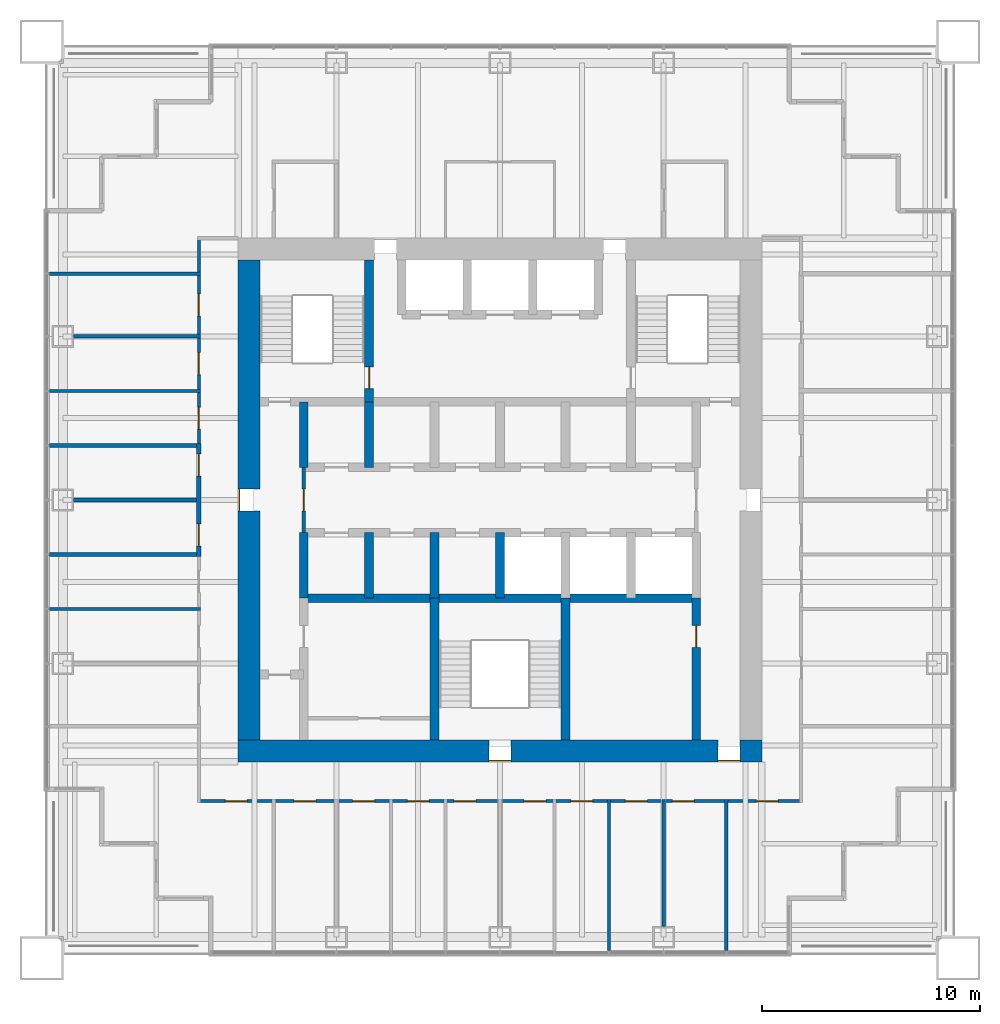
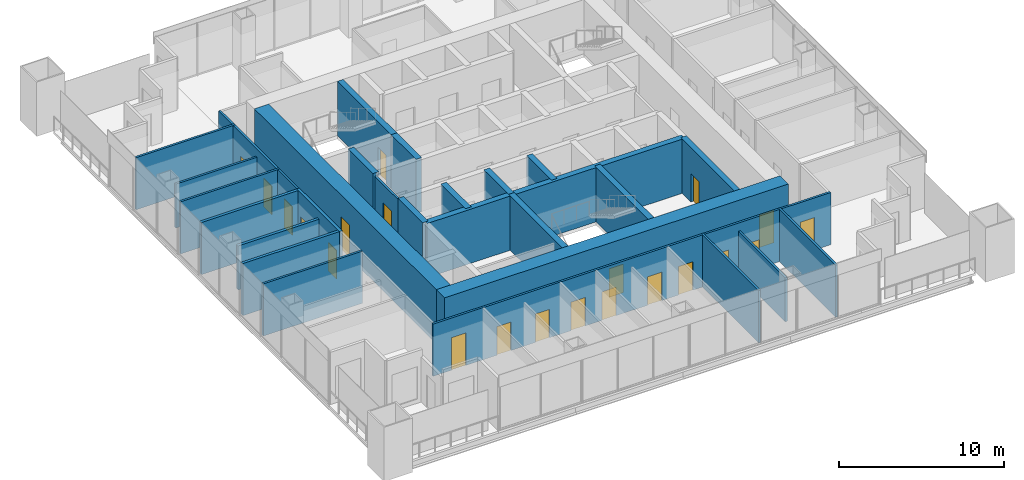
# One storey, part 10 of 15: 27 walls, 21 doors, 21 openings.
"""IFC4 building model written with IfcOpenShell, lengths in metres."""

from ifc_helpers import new_model, si_unit, direction, frame, frame_2d, origin, place, context, subcontext, project, spatial, rectangle, extrude, material, layer, layer_set, type_object, element, fill, save


model = new_model("IFC4")

# Units and contexts
model_context = context("Model", 3, precision=1e-05, world=origin(), true_north=direction((0.0, 1.0)))
body_context = subcontext(model_context, "Body", "Model", "MODEL_VIEW")
ifc_project = project(units=[si_unit("LENGTHUNIT", "METRE"), si_unit("AREAUNIT", "SQUARE_METRE"), si_unit("VOLUMEUNIT", "CUBIC_METRE"), si_unit("PLANEANGLEUNIT", "RADIAN"), si_unit("MASSUNIT", "GRAM", prefix="KILO")], contexts=[model_context])

# Site, building, storey
site_placement = place(None, origin())
site = spatial("IfcSite", under=ifc_project, at=site_placement, CompositionType="ELEMENT")
building_placement = place(site_placement, origin())
building = spatial("IfcBuilding", under=site, at=building_placement, Name="Tarangal Relay Tower", CompositionType="ELEMENT")
storey_placement = place(building_placement, frame((0.0, 0.0, 299.89990234375)))
storey = spatial("IfcBuildingStorey", under=building, at=storey_placement, Name="L66", CompositionType="ELEMENT", Elevation=299.89990234375)

# Walls
ifc_material_1 = material(Name="Two layers gypsum board each side on twin steel studs, mineral wool", Category="steel")
ifc_layer_1 = layer(ifc_material_1, 0.199951171875)
ifc_layer_set_1 = layer_set([ifc_layer_1], Name="Acoustic partition 200")
wall_type_1 = type_object("IfcWallType", Name="Acoustic partition 200", PredefinedType="PARTITIONING", material=ifc_layer_set_1)
wall_1_placement = place(storey_placement, frame((-20.64990234375, -2.5, 0.0), z_axis=(0.0, 0.0, 1.0), x_axis=(1.0, 0.0, 0.0)))
element("IfcWall", 1, at=wall_1_placement, inside=storey, type_object=wall_type_1, Name="Partition PT2 L66", PredefinedType="PARTITIONING", context=body_context, shape_type="SweptSolid", body=[
    extrude(rectangle(XDim=6.949951171875, YDim=0.199951171875, at=frame_2d((3.47509765625, 0.0))), origin(), (0.0, 0.0, 1.0), 3.85009765625),
])
wall_2_placement = place(storey_placement, frame((-19.5400390625, 0.0, 0.0), z_axis=(0.0, 0.0, 1.0), x_axis=(1.0, 0.0, 0.0)))
element("IfcWall", 2, at=wall_2_placement, inside=storey, type_object=wall_type_1, Name="Partition PT2 L66", PredefinedType="PARTITIONING", context=body_context, shape_type="SweptSolid", body=[
    extrude(rectangle(XDim=5.840087890625, YDim=0.199951171875, at=frame_2d((2.919921875, 0.0))), origin(), (0.0, 0.0, 1.0), 3.2431640625),
])
wall_3_placement = place(storey_placement, frame((-20.64990234375, 2.5, 0.0), z_axis=(0.0, 0.0, 1.0), x_axis=(1.0, 0.0, 0.0)))
element("IfcWall", 3, at=wall_3_placement, inside=storey, type_object=wall_type_1, Name="Partition PT2 L66", PredefinedType="PARTITIONING", context=body_context, shape_type="SweptSolid", body=[
    extrude(rectangle(XDim=6.949951171875, YDim=0.199951171875, at=frame_2d((3.47509765625, 0.0))), origin(), (0.0, 0.0, 1.0), 3.85009765625),
])

# Wall, openings, doors
wall_4_placement = place(storey_placement, frame((-13.800048828125, -2.60009765625, 0.0), z_axis=(0.0, 0.0, 1.0), x_axis=(0.0, 1.0, 0.0)))
wall_4 = element("IfcWall", 4, at=wall_4_placement, inside=storey, type_object=wall_type_1, Name="Partition PT2 L66", PredefinedType="PARTITIONING", context=body_context, shape_type="SweptSolid", body=[
    extrude(rectangle(XDim=5.2001953125, YDim=0.199951171875, at=frame_2d((2.60009765625, 0.0))), origin(), (0.0, 0.0, 1.0), 3.85009765625),
])
opening_1_placement = place(wall_4_placement, frame((0.5, 0.0, 0.0)))
opening_1 = element("IfcOpeningElement", 5, at=opening_1_placement, cuts=wall_4, Name="Opening D2", PredefinedType="OPENING", context=body_context, shape_type="SweptSolid", body=[
    extrude(rectangle(XDim=1.0, YDim=2.10009765625, at=frame_2d((0.5, 1.050048828125))), frame((0.0, 0.10986328125, 0.0), z_axis=(0.0, -1.0, 0.0), x_axis=(1.0, 0.0, 0.0)), (0.0, 0.0, 1.0), 0.219970703125),
])
opening_2_placement = place(wall_4_placement, frame((3.699951171875, 0.0, 0.0)))
opening_2 = element("IfcOpeningElement", 6, at=opening_2_placement, cuts=wall_4, Name="Opening D2", PredefinedType="OPENING", context=body_context, shape_type="SweptSolid", body=[
    extrude(rectangle(XDim=1.0, YDim=2.10009765625, at=frame_2d((0.5, 1.050048828125))), frame((0.0, 0.10986328125, 0.0), z_axis=(0.0, -1.0, 0.0), x_axis=(1.0, 0.0, 0.0)), (0.0, 0.0, 1.0), 0.219970703125),
])
ifc_material_2 = material(Name="Hardwood door", Category="wood")
door_type_1 = type_object("IfcDoorType", Name="Door 1000 x 2100", OperationType="SINGLE_SWING_LEFT", PredefinedType="DOOR", material=ifc_material_2)
door_1_placement = place(opening_1_placement, origin())
door_1 = element("IfcDoor", 7, at=door_1_placement, inside=storey, type_object=door_type_1, Name="Door D2 to wellness room L66-21", OperationType="SINGLE_SWING_LEFT", OverallHeight=2.10009765625, OverallWidth=1.0, PredefinedType="DOOR", context=body_context, shape_type="SweptSolid", body=[
    extrude(rectangle(XDim=1.0, YDim=2.10009765625, at=frame_2d((0.5, 1.050048828125))), frame((0.0, 0.02490234375, 0.0), z_axis=(0.0, -1.0, 0.0), x_axis=(1.0, 0.0, 0.0)), (0.0, 0.0, 1.0), 0.050048828125),
])
fill(opening_1, door_1)
door_2_placement = place(opening_2_placement, origin())
door_2 = element("IfcDoor", 8, at=door_2_placement, inside=storey, type_object=door_type_1, Name="Door D2 to quiet room L66-22", OperationType="SINGLE_SWING_LEFT", OverallHeight=2.10009765625, OverallWidth=1.0, PredefinedType="DOOR", context=body_context, shape_type="SweptSolid", body=[
    extrude(rectangle(XDim=1.0, YDim=2.10009765625, at=frame_2d((0.5, 1.050048828125))), frame((0.0, 0.02490234375, 0.0), z_axis=(0.0, -1.0, 0.0), x_axis=(1.0, 0.0, 0.0)), (0.0, 0.0, 1.0), 0.050048828125),
])
fill(opening_2, door_2)

# Walls
ifc_material_3 = material(Name="Concrete fc' 60 MPa", Category="concrete")
ifc_layer_2 = layer(ifc_material_3, 0.39990234375)
ifc_layer_set_2 = layer_set([ifc_layer_2], Name="Core inner wall 400")
wall_type_2 = type_object("IfcWallType", Name="Core inner wall 400", PredefinedType="SHEAR", material=ifc_layer_set_2)
wall_5_placement = place(storey_placement, frame((-9.0, -4.5, 0.0), z_axis=(0.0, 0.0, 1.0), x_axis=(1.0, 0.0, 0.0)))
element("IfcWall", 9, at=wall_5_placement, inside=storey, type_object=wall_type_2, Name="Core wall YM45 L66", PredefinedType="SHEAR", context=body_context, shape_type="SweptSolid", body=[
    extrude(rectangle(XDim=18.0, YDim=0.39990234375, at=frame_2d((9.0, 0.0))), origin(), (0.0, 0.0, 1.0), 4.0),
])
for number, where, z_axis, x_axis, name in (
    (10, (-9.0, 1.5, 0.0), (0.0, 0.0, 1.0), (0.0, 1.0, 0.0), "Core wall XM9N L66"),
    (11, (-9.0, -4.5, 0.0), (0.0, 0.0, 1.0), (0.0, 1.0, 0.0), "Core wall XM9S L66"),
    (12, (-6.0, 1.5, 0.0), (0.0, 0.0, 1.0), (0.0, 1.0, 0.0), "Core wall XM6N L66"),
    (13, (-6.0, -4.5, 0.0), (0.0, 0.0, 1.0), (0.0, 1.0, 0.0), "Core wall XM6S L66"),
    (14, (-3.0, -4.5, 0.0), (0.0, 0.0, 1.0), (0.0, 1.0, 0.0), "Core wall XM3S L66"),
    (15, (0.0, -4.5, 0.0), (0.0, 0.0, 1.0), (0.0, 1.0, 0.0), "Core wall X0S L66"),
):
    element("IfcWall", number, at=place(storey_placement, frame(where, z_axis=z_axis, x_axis=x_axis)), inside=storey, type_object=wall_type_2, Name=name, PredefinedType="SHEAR", context=body_context, shape_type="SweptSolid", body=[
        extrude(rectangle(XDim=3.0, YDim=0.39990234375, at=frame_2d((1.5, 0.0))), origin(), (0.0, 0.0, 1.0), 4.0),
    ])

# Wall, opening, door
wall_6_placement = place(storey_placement, frame((-6.0, 4.5, 0.0), z_axis=(0.0, 0.0, 1.0), x_axis=(0.0, 1.0, 0.0)))
wall_6 = element("IfcWall", 16, at=wall_6_placement, inside=storey, type_object=wall_type_2, Name="Core wall XM6 L66", PredefinedType="SHEAR", context=body_context, shape_type="SweptSolid", body=[
    extrude(rectangle(XDim=6.5, YDim=0.39990234375, at=frame_2d((3.25, 0.0))), origin(), (0.0, 0.0, 1.0), 4.0),
])
opening_3_placement = place(wall_6_placement, frame((0.60009765625, 0.0, 0.0)))
opening_3 = element("IfcOpeningElement", 17, at=opening_3_placement, cuts=wall_6, Name="Opening FD1", PredefinedType="OPENING", context=body_context, shape_type="SweptSolid", body=[
    extrude(rectangle(XDim=1.0, YDim=2.10009765625, at=frame_2d((0.5, 1.050048828125))), frame((0.0, 0.2099609375, 0.0), z_axis=(0.0, -1.0, 0.0), x_axis=(1.0, 0.0, 0.0)), (0.0, 0.0, 1.0), 0.419921875),
])
ifc_material_4 = material(Name="Steel door with hardwood frame", Category="steel")
door_type_2 = type_object("IfcDoorType", Name="Fire door 1000 x 2100", OperationType="SINGLE_SWING_LEFT", PredefinedType="DOOR", material=ifc_material_4)
door_3_placement = place(opening_3_placement, origin())
door_3 = element("IfcDoor", 18, at=door_3_placement, inside=storey, type_object=door_type_2, Name="Stair ST-A door from fire-fighting lobby L66", OperationType="SINGLE_SWING_LEFT", OverallHeight=2.10009765625, OverallWidth=1.0, PredefinedType="DOOR", context=body_context, shape_type="SweptSolid", body=[
    extrude(rectangle(XDim=1.0, YDim=2.10009765625, at=frame_2d((0.5, 1.050048828125))), frame((0.0, 0.02490234375, 0.0), z_axis=(0.0, -1.0, 0.0), x_axis=(1.0, 0.0, 0.0)), (0.0, 0.0, 1.0), 0.050048828125),
])
fill(opening_3, door_3)

wall_7_placement = place(storey_placement, frame((9.0, -11.0, 0.0), z_axis=(0.0, 0.0, 1.0), x_axis=(0.0, 1.0, 0.0)))
wall_7 = element("IfcWall", 19, at=wall_7_placement, inside=storey, type_object=wall_type_2, Name="Core wall X9W L66", PredefinedType="SHEAR", context=body_context, shape_type="SweptSolid", body=[
    extrude(rectangle(XDim=6.5, YDim=0.39990234375, at=frame_2d((3.25, 0.0))), origin(), (0.0, 0.0, 1.0), 4.0),
])
opening_4_placement = place(wall_7_placement, frame((4.25, 0.0, 0.0)))
opening_4 = element("IfcOpeningElement", 20, at=opening_4_placement, cuts=wall_7, Name="Opening D1", PredefinedType="OPENING", context=body_context, shape_type="SweptSolid", body=[
    extrude(rectangle(XDim=1.0, YDim=2.10009765625, at=frame_2d((0.5, 1.050048828125))), frame((0.0, 0.2099609375, 0.0), z_axis=(0.0, -1.0, 0.0), x_axis=(1.0, 0.0, 0.0)), (0.0, 0.0, 1.0), 0.419921875),
])
door_type_3 = type_object("IfcDoorType", Name="WC door 1000 x 2100", OperationType="SINGLE_SWING_LEFT", PredefinedType="DOOR", material=ifc_material_2)
door_4_placement = place(opening_4_placement, origin())
door_4 = element("IfcDoor", 21, at=door_4_placement, inside=storey, type_object=door_type_3, Name="Female WC door L66", OperationType="SINGLE_SWING_LEFT", OverallHeight=2.10009765625, OverallWidth=1.0, PredefinedType="DOOR", context=body_context, shape_type="SweptSolid", body=[
    extrude(rectangle(XDim=1.0, YDim=2.10009765625, at=frame_2d((0.5, 1.050048828125))), frame((0.0, 0.02490234375, 0.0), z_axis=(0.0, -1.0, 0.0), x_axis=(1.0, 0.0, 0.0)), (0.0, 0.0, 1.0), 0.050048828125),
])
fill(opening_4, door_4)

# Walls
for number, where, z_axis, x_axis, name in (
    (22, (-3.0, -11.0, 0.0), (0.0, 0.0, 1.0), (0.0, 1.0, 0.0), "Core wall XM3W L66"),
    (23, (3.0, -11.0, 0.0), (0.0, 0.0, 1.0), (0.0, 1.0, 0.0), "Core wall X3W L66"),
):
    element("IfcWall", number, at=place(storey_placement, frame(where, z_axis=z_axis, x_axis=x_axis)), inside=storey, type_object=wall_type_2, Name=name, PredefinedType="SHEAR", context=body_context, shape_type="SweptSolid", body=[
        extrude(rectangle(XDim=6.5, YDim=0.39990234375, at=frame_2d((3.25, 0.0))), origin(), (0.0, 0.0, 1.0), 4.0),
    ])

# Wall, openings, doors
ifc_layer_3 = layer(ifc_material_3, 1.0)
ifc_layer_set_3 = layer_set([ifc_layer_3], Name="Core wall 1000")
wall_type_3 = type_object("IfcWallType", Name="Core wall 1000", PredefinedType="SHEAR", material=ifc_layer_set_3)
wall_8_placement = place(storey_placement, frame((12.0, -11.5, 0.0), z_axis=(0.0, 0.0, 1.0), x_axis=(-1.0, 0.0, 0.0)))
wall_8 = element("IfcWall", 24, at=wall_8_placement, inside=storey, type_object=wall_type_3, Name="Core wall S L66", PredefinedType="SHEAR", context=body_context, shape_type="SweptSolid", body=[
    extrude(rectangle(XDim=24.0, YDim=1.0, at=frame_2d((12.0, 0.0))), origin(), (0.0, 0.0, 1.0), 4.0),
])
opening_5_placement = place(wall_8_placement, frame((11.5, 0.0, 0.0)))
opening_5 = element("IfcOpeningElement", 25, at=opening_5_placement, cuts=wall_8, Name="Opening FD1", PredefinedType="OPENING", context=body_context, shape_type="SweptSolid", body=[
    extrude(rectangle(XDim=1.0, YDim=2.10009765625, at=frame_2d((0.5, 1.050048828125))), frame((0.0, 0.510009765625, 0.0), z_axis=(0.0, -1.0, 0.0), x_axis=(1.0, 0.0, 0.0)), (0.0, 0.0, 1.0), 1.02001953125),
])
opening_6_placement = place(wall_8_placement, frame((1.0, 0.0, 0.0)))
opening_6 = element("IfcOpeningElement", 26, at=opening_6_placement, cuts=wall_8, Name="Opening FD3", PredefinedType="OPENING", context=body_context, shape_type="SweptSolid", body=[
    extrude(rectangle(XDim=1.0, YDim=2.39990234375, at=frame_2d((0.5, 1.199951171875))), frame((0.0, 0.510009765625, 0.0), z_axis=(0.0, -1.0, 0.0), x_axis=(1.0, 0.0, 0.0)), (0.0, 0.0, 1.0), 1.02001953125),
])
door_5_placement = place(opening_5_placement, origin())
door_5 = element("IfcDoor", 27, at=door_5_placement, inside=storey, type_object=door_type_2, Name="Stair ST-C door L66", OperationType="SINGLE_SWING_LEFT", OverallHeight=2.10009765625, OverallWidth=1.0, PredefinedType="DOOR", context=body_context, shape_type="SweptSolid", body=[
    extrude(rectangle(XDim=1.0, YDim=2.10009765625, at=frame_2d((0.5, 1.050048828125))), frame((0.0, 0.48486328125, 0.0), z_axis=(0.0, -1.0, 0.0), x_axis=(1.0, 0.0, 0.0)), (0.0, 0.0, 1.0), 0.050048828125),
])
fill(opening_5, door_5)
door_type_4 = type_object("IfcDoorType", Name="Fire door 1000 x 2400 core entry", OperationType="SINGLE_SWING_RIGHT", PredefinedType="DOOR", material=ifc_material_4)
door_6_placement = place(opening_6_placement, origin())
door_6 = element("IfcDoor", 28, at=door_6_placement, inside=storey, type_object=door_type_4, Name="Core entry door south east L66", OperationType="SINGLE_SWING_RIGHT", OverallHeight=2.39990234375, OverallWidth=1.0, PredefinedType="DOOR", context=body_context, shape_type="SweptSolid", body=[
    extrude(rectangle(XDim=1.0, YDim=2.39990234375, at=frame_2d((0.5, 1.199951171875))), frame((0.0, 0.48486328125, 0.0), z_axis=(0.0, -1.0, 0.0), x_axis=(1.0, 0.0, 0.0)), (0.0, 0.0, 1.0), 0.050048828125),
])
fill(opening_6, door_6)

# Wall, opening, door
wall_9_placement = place(storey_placement, frame((-11.5, -11.0, 0.0), z_axis=(0.0, 0.0, 1.0), x_axis=(0.0, 1.0, 0.0)))
wall_9 = element("IfcWall", 29, at=wall_9_placement, inside=storey, type_object=wall_type_3, Name="Core wall W L66", PredefinedType="SHEAR", context=body_context, shape_type="SweptSolid", body=[
    extrude(rectangle(XDim=22.0, YDim=1.0, at=frame_2d((11.0, 0.0))), origin(), (0.0, 0.0, 1.0), 4.0),
])
opening_7_placement = place(wall_9_placement, frame((10.5, 0.0, 0.0)))
opening_7 = element("IfcOpeningElement", 30, at=opening_7_placement, cuts=wall_9, Name="Opening FD3", PredefinedType="OPENING", context=body_context, shape_type="SweptSolid", body=[
    extrude(rectangle(XDim=1.0, YDim=2.39990234375, at=frame_2d((0.5, 1.199951171875))), frame((0.0, 0.510009765625, 0.0), z_axis=(0.0, -1.0, 0.0), x_axis=(1.0, 0.0, 0.0)), (0.0, 0.0, 1.0), 1.02001953125),
])
door_7_placement = place(opening_7_placement, origin())
door_7 = element("IfcDoor", 31, at=door_7_placement, inside=storey, type_object=door_type_4, Name="Core entry door west L66", OperationType="SINGLE_SWING_RIGHT", OverallHeight=2.39990234375, OverallWidth=1.0, PredefinedType="DOOR", context=body_context, shape_type="SweptSolid", body=[
    extrude(rectangle(XDim=1.0, YDim=2.39990234375, at=frame_2d((0.5, 1.199951171875))), frame((0.0, 0.48486328125, 0.0), z_axis=(0.0, -1.0, 0.0), x_axis=(1.0, 0.0, 0.0)), (0.0, 0.0, 1.0), 0.050048828125),
])
fill(opening_7, door_7)

# Wall, openings, doors
ifc_material_5 = material(Name="Gypsum board on steel studs", Category="steel")
ifc_layer_4 = layer(ifc_material_5, 0.14990234375)
ifc_layer_set_4 = layer_set([ifc_layer_4], Name="Partition 150")
wall_type_4 = type_object("IfcWallType", Name="Partition 150", PredefinedType="PARTITIONING", material=ifc_layer_set_4)
wall_10_placement = place(storey_placement, frame((-13.875, -13.800048828125, 0.0), z_axis=(0.0, 0.0, 1.0), x_axis=(1.0, 0.0, 0.0)))
wall_10 = element("IfcWall", 32, at=wall_10_placement, inside=storey, type_object=wall_type_4, Name="Partition PT1 L66", PredefinedType="PARTITIONING", context=body_context, shape_type="SweptSolid", body=[
    extrude(rectangle(XDim=27.75, YDim=0.14990234375, at=frame_2d((13.875, 0.0))), origin(), (0.0, 0.0, 1.0), 3.85009765625),
])
opening_8_placement = place(wall_10_placement, frame((21.77490234375, 0.0, 0.0)))
opening_8 = element("IfcOpeningElement", 33, at=opening_8_placement, cuts=wall_10, Name="Opening D2", PredefinedType="OPENING", context=body_context, shape_type="SweptSolid", body=[
    extrude(rectangle(XDim=1.0, YDim=2.10009765625, at=frame_2d((0.5, 1.050048828125))), frame((0.0, 0.0849609375, 0.0), z_axis=(0.0, -1.0, 0.0), x_axis=(1.0, 0.0, 0.0)), (0.0, 0.0, 1.0), 0.169921875),
])
opening_9_placement = place(wall_10_placement, frame((19.625, 0.0, 0.0)))
opening_9 = element("IfcOpeningElement", 34, at=opening_9_placement, cuts=wall_10, Name="Opening D2", PredefinedType="OPENING", context=body_context, shape_type="SweptSolid", body=[
    extrude(rectangle(XDim=1.0, YDim=2.10009765625, at=frame_2d((0.5, 1.050048828125))), frame((0.0, 0.0849609375, 0.0), z_axis=(0.0, -1.0, 0.0), x_axis=(1.0, 0.0, 0.0)), (0.0, 0.0, 1.0), 0.169921875),
])
opening_10_placement = place(wall_10_placement, frame((17.125, 0.0, 0.0)))
opening_10 = element("IfcOpeningElement", 35, at=opening_10_placement, cuts=wall_10, Name="Opening D2", PredefinedType="OPENING", context=body_context, shape_type="SweptSolid", body=[
    extrude(rectangle(XDim=1.0, YDim=2.10009765625, at=frame_2d((0.5, 1.050048828125))), frame((0.0, 0.0849609375, 0.0), z_axis=(0.0, -1.0, 0.0), x_axis=(1.0, 0.0, 0.0)), (0.0, 0.0, 1.0), 0.169921875),
])
opening_11_placement = place(wall_10_placement, frame((14.97509765625, 0.0, 0.0)))
opening_11 = element("IfcOpeningElement", 36, at=opening_11_placement, cuts=wall_10, Name="Opening D2", PredefinedType="OPENING", context=body_context, shape_type="SweptSolid", body=[
    extrude(rectangle(XDim=1.0, YDim=2.10009765625, at=frame_2d((0.5, 1.050048828125))), frame((0.0, 0.0849609375, 0.0), z_axis=(0.0, -1.0, 0.0), x_axis=(1.0, 0.0, 0.0)), (0.0, 0.0, 1.0), 0.169921875),
])
opening_12_placement = place(wall_10_placement, frame((11.77490234375, 0.0, 0.0)))
opening_12 = element("IfcOpeningElement", 37, at=opening_12_placement, cuts=wall_10, Name="Opening D2", PredefinedType="OPENING", context=body_context, shape_type="SweptSolid", body=[
    extrude(rectangle(XDim=1.0, YDim=2.10009765625, at=frame_2d((0.5, 1.050048828125))), frame((0.0, 0.0849609375, 0.0), z_axis=(0.0, -1.0, 0.0), x_axis=(1.0, 0.0, 0.0)), (0.0, 0.0, 1.0), 0.169921875),
])
opening_13_placement = place(wall_10_placement, frame((9.625, 0.0, 0.0)))
opening_13 = element("IfcOpeningElement", 38, at=opening_13_placement, cuts=wall_10, Name="Opening D2", PredefinedType="OPENING", context=body_context, shape_type="SweptSolid", body=[
    extrude(rectangle(XDim=1.0, YDim=2.10009765625, at=frame_2d((0.5, 1.050048828125))), frame((0.0, 0.0849609375, 0.0), z_axis=(0.0, -1.0, 0.0), x_axis=(1.0, 0.0, 0.0)), (0.0, 0.0, 1.0), 0.169921875),
])
opening_14_placement = place(wall_10_placement, frame((7.125, 0.0, 0.0)))
opening_14 = element("IfcOpeningElement", 39, at=opening_14_placement, cuts=wall_10, Name="Opening D2", PredefinedType="OPENING", context=body_context, shape_type="SweptSolid", body=[
    extrude(rectangle(XDim=1.0, YDim=2.10009765625, at=frame_2d((0.5, 1.050048828125))), frame((0.0, 0.0849609375, 0.0), z_axis=(0.0, -1.0, 0.0), x_axis=(1.0, 0.0, 0.0)), (0.0, 0.0, 1.0), 0.169921875),
])
opening_15_placement = place(wall_10_placement, frame((4.4375, 0.0, 0.0)))
opening_15 = element("IfcOpeningElement", 40, at=opening_15_placement, cuts=wall_10, Name="Opening D2", PredefinedType="OPENING", context=body_context, shape_type="SweptSolid", body=[
    extrude(rectangle(XDim=1.0, YDim=2.10009765625, at=frame_2d((0.5, 1.050048828125))), frame((0.0, 0.0849609375, 0.0), z_axis=(0.0, -1.0, 0.0), x_axis=(1.0, 0.0, 0.0)), (0.0, 0.0, 1.0), 0.169921875),
])
opening_16_placement = place(wall_10_placement, frame((25.625, 0.0, 0.0)))
opening_16 = element("IfcOpeningElement", 41, at=opening_16_placement, cuts=wall_10, Name="Opening SD1", PredefinedType="OPENING", context=body_context, shape_type="SweptSolid", body=[
    extrude(rectangle(XDim=1.0, YDim=2.39990234375, at=frame_2d((0.5, 1.199951171875))), frame((0.0, 0.0849609375, 0.0), z_axis=(0.0, -1.0, 0.0), x_axis=(1.0, 0.0, 0.0)), (0.0, 0.0, 1.0), 0.169921875),
])
opening_17_placement = place(wall_10_placement, frame((1.28759765625, 0.0, 0.0)))
opening_17 = element("IfcOpeningElement", 42, at=opening_17_placement, cuts=wall_10, Name="Opening SD1", PredefinedType="OPENING", context=body_context, shape_type="SweptSolid", body=[
    extrude(rectangle(XDim=1.0, YDim=2.39990234375, at=frame_2d((0.5, 1.199951171875))), frame((0.0, 0.0849609375, 0.0), z_axis=(0.0, -1.0, 0.0), x_axis=(1.0, 0.0, 0.0)), (0.0, 0.0, 1.0), 0.169921875),
])
door_8_placement = place(opening_8_placement, origin())
door_8 = element("IfcDoor", 43, at=door_8_placement, inside=storey, type_object=door_type_1, Name="Door D2 to cellular office L66-10", OperationType="SINGLE_SWING_LEFT", OverallHeight=2.10009765625, OverallWidth=1.0, PredefinedType="DOOR", context=body_context, shape_type="SweptSolid", body=[
    extrude(rectangle(XDim=1.0, YDim=2.10009765625, at=frame_2d((0.5, 1.050048828125))), frame((0.0, 0.02490234375, 0.0), z_axis=(0.0, -1.0, 0.0), x_axis=(1.0, 0.0, 0.0)), (0.0, 0.0, 1.0), 0.050048828125),
])
fill(opening_8, door_8)
door_9_placement = place(opening_9_placement, origin())
door_9 = element("IfcDoor", 44, at=door_9_placement, inside=storey, type_object=door_type_1, Name="Door D2 to cellular office L66-11", OperationType="SINGLE_SWING_LEFT", OverallHeight=2.10009765625, OverallWidth=1.0, PredefinedType="DOOR", context=body_context, shape_type="SweptSolid", body=[
    extrude(rectangle(XDim=1.0, YDim=2.10009765625, at=frame_2d((0.5, 1.050048828125))), frame((0.0, 0.02490234375, 0.0), z_axis=(0.0, -1.0, 0.0), x_axis=(1.0, 0.0, 0.0)), (0.0, 0.0, 1.0), 0.050048828125),
])
fill(opening_9, door_9)
door_10_placement = place(opening_10_placement, origin())
door_10 = element("IfcDoor", 45, at=door_10_placement, inside=storey, type_object=door_type_1, Name="Door D2 to print room L66-12", OperationType="SINGLE_SWING_LEFT", OverallHeight=2.10009765625, OverallWidth=1.0, PredefinedType="DOOR", context=body_context, shape_type="SweptSolid", body=[
    extrude(rectangle(XDim=1.0, YDim=2.10009765625, at=frame_2d((0.5, 1.050048828125))), frame((0.0, 0.02490234375, 0.0), z_axis=(0.0, -1.0, 0.0), x_axis=(1.0, 0.0, 0.0)), (0.0, 0.0, 1.0), 0.050048828125),
])
fill(opening_10, door_10)
door_11_placement = place(opening_11_placement, origin())
door_11 = element("IfcDoor", 46, at=door_11_placement, inside=storey, type_object=door_type_1, Name="Door D2 to team room L66-13", OperationType="SINGLE_SWING_LEFT", OverallHeight=2.10009765625, OverallWidth=1.0, PredefinedType="DOOR", context=body_context, shape_type="SweptSolid", body=[
    extrude(rectangle(XDim=1.0, YDim=2.10009765625, at=frame_2d((0.5, 1.050048828125))), frame((0.0, 0.02490234375, 0.0), z_axis=(0.0, -1.0, 0.0), x_axis=(1.0, 0.0, 0.0)), (0.0, 0.0, 1.0), 0.050048828125),
])
fill(opening_11, door_11)
door_12_placement = place(opening_12_placement, origin())
door_12 = element("IfcDoor", 47, at=door_12_placement, inside=storey, type_object=door_type_1, Name="Door D2 to cellular office L66-14", OperationType="SINGLE_SWING_LEFT", OverallHeight=2.10009765625, OverallWidth=1.0, PredefinedType="DOOR", context=body_context, shape_type="SweptSolid", body=[
    extrude(rectangle(XDim=1.0, YDim=2.10009765625, at=frame_2d((0.5, 1.050048828125))), frame((0.0, 0.02490234375, 0.0), z_axis=(0.0, -1.0, 0.0), x_axis=(1.0, 0.0, 0.0)), (0.0, 0.0, 1.0), 0.050048828125),
])
fill(opening_12, door_12)
door_13_placement = place(opening_13_placement, origin())
door_13 = element("IfcDoor", 48, at=door_13_placement, inside=storey, type_object=door_type_1, Name="Door D2 to cellular office L66-15", OperationType="SINGLE_SWING_LEFT", OverallHeight=2.10009765625, OverallWidth=1.0, PredefinedType="DOOR", context=body_context, shape_type="SweptSolid", body=[
    extrude(rectangle(XDim=1.0, YDim=2.10009765625, at=frame_2d((0.5, 1.050048828125))), frame((0.0, 0.02490234375, 0.0), z_axis=(0.0, -1.0, 0.0), x_axis=(1.0, 0.0, 0.0)), (0.0, 0.0, 1.0), 0.050048828125),
])
fill(opening_13, door_13)
door_14_placement = place(opening_14_placement, origin())
door_14 = element("IfcDoor", 49, at=door_14_placement, inside=storey, type_object=door_type_1, Name="Door D2 to cellular office L66-16", OperationType="SINGLE_SWING_LEFT", OverallHeight=2.10009765625, OverallWidth=1.0, PredefinedType="DOOR", context=body_context, shape_type="SweptSolid", body=[
    extrude(rectangle(XDim=1.0, YDim=2.10009765625, at=frame_2d((0.5, 1.050048828125))), frame((0.0, 0.02490234375, 0.0), z_axis=(0.0, -1.0, 0.0), x_axis=(1.0, 0.0, 0.0)), (0.0, 0.0, 1.0), 0.050048828125),
])
fill(opening_14, door_14)
door_15_placement = place(opening_15_placement, origin())
door_15 = element("IfcDoor", 50, at=door_15_placement, inside=storey, type_object=door_type_1, Name="Door D2 to cellular office L66-17", OperationType="SINGLE_SWING_LEFT", OverallHeight=2.10009765625, OverallWidth=1.0, PredefinedType="DOOR", context=body_context, shape_type="SweptSolid", body=[
    extrude(rectangle(XDim=1.0, YDim=2.10009765625, at=frame_2d((0.5, 1.050048828125))), frame((0.0, 0.02490234375, 0.0), z_axis=(0.0, -1.0, 0.0), x_axis=(1.0, 0.0, 0.0)), (0.0, 0.0, 1.0), 0.050048828125),
])
fill(opening_15, door_15)
door_type_5 = type_object("IfcDoorType", Name="Suite entrance door 1000 x 2400", OperationType="SINGLE_SWING_RIGHT", PredefinedType="DOOR", material=ifc_material_4)
door_16_placement = place(opening_16_placement, origin())
door_16 = element("IfcDoor", 51, at=door_16_placement, inside=storey, type_object=door_type_5, Name="Door SD1 to open plan office L66-27", OperationType="SINGLE_SWING_RIGHT", OverallHeight=2.39990234375, OverallWidth=1.0, PredefinedType="DOOR", context=body_context, shape_type="SweptSolid", body=[
    extrude(rectangle(XDim=1.0, YDim=2.39990234375, at=frame_2d((0.5, 1.199951171875))), frame((0.0, 0.02490234375, 0.0), z_axis=(0.0, -1.0, 0.0), x_axis=(1.0, 0.0, 0.0)), (0.0, 0.0, 1.0), 0.050048828125),
])
fill(opening_16, door_16)
door_17_placement = place(opening_17_placement, origin())
door_17 = element("IfcDoor", 52, at=door_17_placement, inside=storey, type_object=door_type_5, Name="Door SD1 to open plan office L66-28", OperationType="SINGLE_SWING_RIGHT", OverallHeight=2.39990234375, OverallWidth=1.0, PredefinedType="DOOR", context=body_context, shape_type="SweptSolid", body=[
    extrude(rectangle(XDim=1.0, YDim=2.39990234375, at=frame_2d((0.5, 1.199951171875))), frame((0.0, 0.02490234375, 0.0), z_axis=(0.0, -1.0, 0.0), x_axis=(1.0, 0.0, 0.0)), (0.0, 0.0, 1.0), 0.050048828125),
])
fill(opening_17, door_17)

# Walls
for number, where, z_axis, x_axis, name in (
    (53, (-20.64990234375, -5.0, 0.0), (0.0, 0.0, 1.0), (1.0, 0.0, 0.0), "Partition PT1 L66"),
    (54, (-20.64990234375, 5.0, 0.0), (0.0, 0.0, 1.0), (1.0, 0.0, 0.0), "Partition PT1 L66"),
):
    element("IfcWall", number, at=place(storey_placement, frame(where, z_axis=z_axis, x_axis=x_axis)), inside=storey, type_object=wall_type_4, Name=name, PredefinedType="PARTITIONING", context=body_context, shape_type="SweptSolid", body=[
        extrude(rectangle(XDim=6.9248046875, YDim=0.14990234375, at=frame_2d((3.46240234375, 0.0))), origin(), (0.0, 0.0, 1.0), 3.85009765625),
    ])
wall_11_placement = place(storey_placement, frame((-19.5400390625, 7.5, 0.0), z_axis=(0.0, 0.0, 1.0), x_axis=(1.0, 0.0, 0.0)))
element("IfcWall", 55, at=wall_11_placement, inside=storey, type_object=wall_type_4, Name="Partition PT1 L66", PredefinedType="PARTITIONING", context=body_context, shape_type="SweptSolid", body=[
    extrude(rectangle(XDim=5.81494140625, YDim=0.14990234375, at=frame_2d((2.907470703125, 0.0))), origin(), (0.0, 0.0, 1.0), 3.2431640625),
])
wall_12_placement = place(storey_placement, frame((-20.64990234375, 10.375, 0.0), z_axis=(0.0, 0.0, 1.0), x_axis=(1.0, 0.0, 0.0)))
element("IfcWall", 56, at=wall_12_placement, inside=storey, type_object=wall_type_4, Name="Partition PT1 L66", PredefinedType="PARTITIONING", context=body_context, shape_type="SweptSolid", body=[
    extrude(rectangle(XDim=6.9248046875, YDim=0.14990234375, at=frame_2d((3.46240234375, 0.0))), origin(), (0.0, 0.0, 1.0), 3.85009765625),
])

# Wall, openings, doors
wall_13_placement = place(storey_placement, frame((-13.800048828125, 2.425048828125, 0.0), z_axis=(0.0, 0.0, 1.0), x_axis=(0.0, 1.0, 0.0)))
wall_13 = element("IfcWall", 57, at=wall_13_placement, inside=storey, type_object=wall_type_4, Name="Partition PT1 L66", PredefinedType="PARTITIONING", context=body_context, shape_type="SweptSolid", body=[
    extrude(rectangle(XDim=9.64990234375, YDim=0.14990234375, at=frame_2d((4.824951171875, 0.0))), origin(), (0.0, 0.0, 1.0), 3.85009765625),
])
opening_18_placement = place(wall_13_placement, frame((0.824951171875, 0.0, 0.0)))
opening_18 = element("IfcOpeningElement", 58, at=opening_18_placement, cuts=wall_13, Name="Opening D2", PredefinedType="OPENING", context=body_context, shape_type="SweptSolid", body=[
    extrude(rectangle(XDim=1.0, YDim=2.10009765625, at=frame_2d((0.5, 1.050048828125))), frame((0.0, 0.0849609375, 0.0), z_axis=(0.0, -1.0, 0.0), x_axis=(1.0, 0.0, 0.0)), (0.0, 0.0, 1.0), 0.169921875),
])
opening_19_placement = place(wall_13_placement, frame((3.324951171875, 0.0, 0.0)))
opening_19 = element("IfcOpeningElement", 59, at=opening_19_placement, cuts=wall_13, Name="Opening D2", PredefinedType="OPENING", context=body_context, shape_type="SweptSolid", body=[
    extrude(rectangle(XDim=1.0, YDim=2.10009765625, at=frame_2d((0.5, 1.050048828125))), frame((0.0, 0.0849609375, 0.0), z_axis=(0.0, -1.0, 0.0), x_axis=(1.0, 0.0, 0.0)), (0.0, 0.0, 1.0), 0.169921875),
])
opening_20_placement = place(wall_13_placement, frame((6.012451171875, 0.0, 0.0)))
opening_20 = element("IfcOpeningElement", 60, at=opening_20_placement, cuts=wall_13, Name="Opening D2", PredefinedType="OPENING", context=body_context, shape_type="SweptSolid", body=[
    extrude(rectangle(XDim=1.0, YDim=2.10009765625, at=frame_2d((0.5, 1.050048828125))), frame((0.0, 0.0849609375, 0.0), z_axis=(0.0, -1.0, 0.0), x_axis=(1.0, 0.0, 0.0)), (0.0, 0.0, 1.0), 0.169921875),
])
door_18_placement = place(opening_18_placement, origin())
door_18 = element("IfcDoor", 61, at=door_18_placement, inside=storey, type_object=door_type_1, Name="Door D2 to cellular office L66-23", OperationType="SINGLE_SWING_LEFT", OverallHeight=2.10009765625, OverallWidth=1.0, PredefinedType="DOOR", context=body_context, shape_type="SweptSolid", body=[
    extrude(rectangle(XDim=1.0, YDim=2.10009765625, at=frame_2d((0.5, 1.050048828125))), frame((0.0, 0.02490234375, 0.0), z_axis=(0.0, -1.0, 0.0), x_axis=(1.0, 0.0, 0.0)), (0.0, 0.0, 1.0), 0.050048828125),
])
fill(opening_18, door_18)
door_19_placement = place(opening_19_placement, origin())
door_19 = element("IfcDoor", 62, at=door_19_placement, inside=storey, type_object=door_type_1, Name="Door D2 to cellular office L66-24", OperationType="SINGLE_SWING_LEFT", OverallHeight=2.10009765625, OverallWidth=1.0, PredefinedType="DOOR", context=body_context, shape_type="SweptSolid", body=[
    extrude(rectangle(XDim=1.0, YDim=2.10009765625, at=frame_2d((0.5, 1.050048828125))), frame((0.0, 0.02490234375, 0.0), z_axis=(0.0, -1.0, 0.0), x_axis=(1.0, 0.0, 0.0)), (0.0, 0.0, 1.0), 0.050048828125),
])
fill(opening_19, door_19)
door_20_placement = place(opening_20_placement, origin())
door_20 = element("IfcDoor", 63, at=door_20_placement, inside=storey, type_object=door_type_1, Name="Door D2 to cellular office L66-25", OperationType="SINGLE_SWING_LEFT", OverallHeight=2.10009765625, OverallWidth=1.0, PredefinedType="DOOR", context=body_context, shape_type="SweptSolid", body=[
    extrude(rectangle(XDim=1.0, YDim=2.10009765625, at=frame_2d((0.5, 1.050048828125))), frame((0.0, 0.02490234375, 0.0), z_axis=(0.0, -1.0, 0.0), x_axis=(1.0, 0.0, 0.0)), (0.0, 0.0, 1.0), 0.050048828125),
])
fill(opening_20, door_20)

# Walls
wall_14_placement = place(storey_placement, frame((5.0, -20.64990234375, 0.0), z_axis=(0.0, 0.0, 1.0), x_axis=(0.0, 1.0, 0.0)))
element("IfcWall", 64, at=wall_14_placement, inside=storey, type_object=wall_type_4, Name="Partition PT1 L66", PredefinedType="PARTITIONING", context=body_context, shape_type="SweptSolid", body=[
    extrude(rectangle(XDim=6.9248046875, YDim=0.14990234375, at=frame_2d((3.46240234375, 0.0))), origin(), (0.0, 0.0, 1.0), 3.85009765625),
])
wall_15_placement = place(storey_placement, frame((7.5, -19.5400390625, 0.0), z_axis=(0.0, 0.0, 1.0), x_axis=(0.0, 1.0, 0.0)))
element("IfcWall", 65, at=wall_15_placement, inside=storey, type_object=wall_type_4, Name="Partition PT1 L66", PredefinedType="PARTITIONING", context=body_context, shape_type="SweptSolid", body=[
    extrude(rectangle(XDim=5.81494140625, YDim=0.14990234375, at=frame_2d((2.907470703125, 0.0))), origin(), (0.0, 0.0, 1.0), 3.2431640625),
])
wall_16_placement = place(storey_placement, frame((10.375, -20.64990234375, 0.0), z_axis=(0.0, 0.0, 1.0), x_axis=(0.0, 1.0, 0.0)))
element("IfcWall", 66, at=wall_16_placement, inside=storey, type_object=wall_type_4, Name="Partition PT1 L66", PredefinedType="PARTITIONING", context=body_context, shape_type="SweptSolid", body=[
    extrude(rectangle(XDim=6.9248046875, YDim=0.14990234375, at=frame_2d((3.46240234375, 0.0))), origin(), (0.0, 0.0, 1.0), 3.85009765625),
])

# Wall, opening, door
wall_17_placement = place(storey_placement, frame((-9.0, -1.5, 0.0), z_axis=(0.0, 0.0, 1.0), x_axis=(0.0, 1.0, 0.0)))
wall_17 = element("IfcWall", 67, at=wall_17_placement, inside=storey, type_object=wall_type_4, Name="Partition PT1 L66", PredefinedType="PARTITIONING", context=body_context, shape_type="SweptSolid", body=[
    extrude(rectangle(XDim=3.0, YDim=0.14990234375, at=frame_2d((1.5, 0.0))), origin(), (0.0, 0.0, 1.0), 3.75),
])
opening_21_placement = place(wall_17_placement, frame((1.0, 0.0, 0.0)))
opening_21 = element("IfcOpeningElement", 68, at=opening_21_placement, cuts=wall_17, Name="Opening FD3", PredefinedType="OPENING", context=body_context, shape_type="SweptSolid", body=[
    extrude(rectangle(XDim=1.0, YDim=2.39990234375, at=frame_2d((0.5, 1.199951171875))), frame((0.0, 0.0849609375, 0.0), z_axis=(0.0, -1.0, 0.0), x_axis=(1.0, 0.0, 0.0)), (0.0, 0.0, 1.0), 0.169921875),
])
door_21_placement = place(opening_21_placement, origin())
door_21 = element("IfcDoor", 69, at=door_21_placement, inside=storey, type_object=door_type_4, Name="Lift lobby door FD3 to the west corridor L66", OperationType="SINGLE_SWING_RIGHT", OverallHeight=2.39990234375, OverallWidth=1.0, PredefinedType="DOOR", context=body_context, shape_type="SweptSolid", body=[
    extrude(rectangle(XDim=1.0, YDim=2.39990234375, at=frame_2d((0.5, 1.199951171875))), frame((0.0, 0.02490234375, 0.0), z_axis=(0.0, -1.0, 0.0), x_axis=(1.0, 0.0, 0.0)), (0.0, 0.0, 1.0), 0.050048828125),
])
fill(opening_21, door_21)

save(model, "model.ifc")
